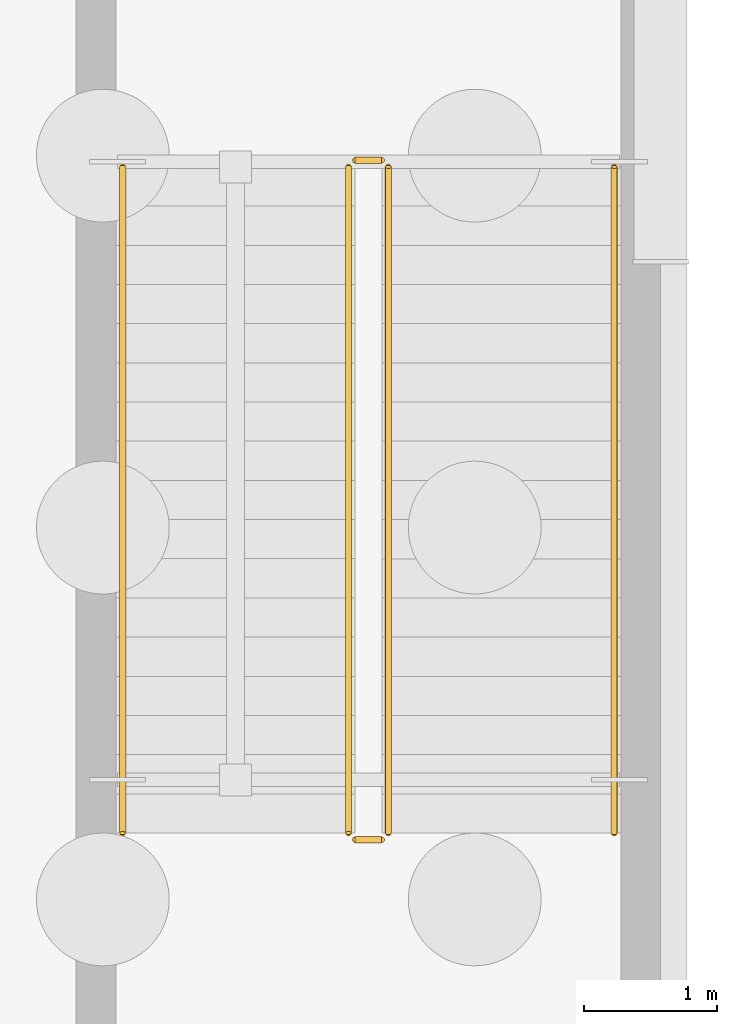
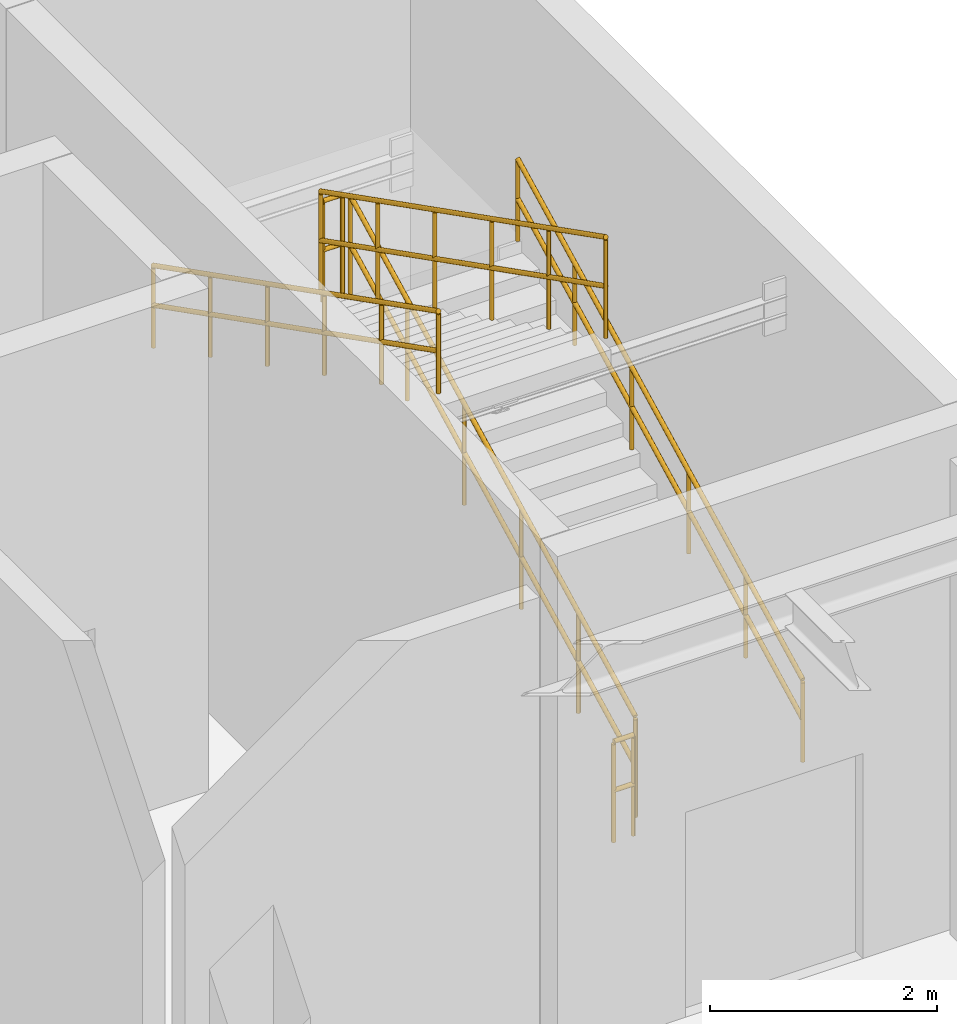
# One storey, part 69 of 71: 6 railings.
"""IFC4 building model written with IfcOpenShell, lengths in metres."""

import ifcopenshell
import ifcopenshell.guid

model = None  # the IFC model being written
_history = None  # IfcOwnerHistory: only IFC2X3 demands one
_inside = {}  # id of a spatial element -> (the spatial element, [elements in it])
_under = {}  # id of a project, library or spatial element -> (it, [spatial elements below it])
_declared = {}  # id of a project -> (the project, [libraries it declares])
_typed = {}  # id of a type object -> (the type object, [elements of that type])
_made_of = {}  # id of a material, layer set ... -> (it, [elements and type objects made of it])


def new_model(schema):
    """Start an empty IFC model of exactly this schema.

    Asked for "IFC4X3", IfcOpenShell would pick the latest addendum, in which some entities
    have other attributes; the version numbers below select the first issue.
    IFC2X3 requires an IfcOwnerHistory on every rooted entity: one is made here for all.
    """
    global model, _history
    if schema == "IFC4X3":
        model = ifcopenshell.file(schema_version=(4, 3, 0, 0))
    else:
        model = ifcopenshell.file(schema=schema)
    _inside.clear()
    _under.clear()
    _declared.clear()
    _typed.clear()
    _made_of.clear()
    _history = None
    if model.schema == "IFC2X3":
        org = make("IfcOrganization", Name="unknown")
        user = make(
            "IfcPersonAndOrganization",
            ThePerson=make("IfcPerson", FamilyName="unknown"),
            TheOrganization=org,
        )
        app = make(
            "IfcApplication",
            ApplicationDeveloper=org,
            Version="unknown",
            ApplicationFullName="unknown",
            ApplicationIdentifier="unknown",
        )
        _history = make(
            "IfcOwnerHistory",
            OwningUser=user,
            OwningApplication=app,
            ChangeAction="ADDED",
            CreationDate=0,
        )
    return model


def make(cls, **values):
    """One entity of the class cls with the attributes given. An attribute that is None is left unset."""
    return model.create_entity(
        cls, **{name: value for name, value in values.items() if value is not None}
    )


def rooted(cls, **values):
    """An entity with a GlobalId (a new one), such as an element, a storey or a relation."""
    return make(cls, GlobalId=ifcopenshell.guid.new(), OwnerHistory=_history, **values)


def si_unit(unit_type, name, prefix=None):
    """IfcSIUnit, for example si_unit("LENGTHUNIT", "METRE", prefix="MILLI")."""
    return make("IfcSIUnit", UnitType=unit_type, Prefix=prefix, Name=name)


def assignment(units):
    """IfcUnitAssignment: the units of a project."""
    return None if units is None else make("IfcUnitAssignment", Units=units)


def point(xyz):
    """IfcCartesianPoint."""
    return None if xyz is None else make("IfcCartesianPoint", Coordinates=xyz)


def direction(xyz):
    """IfcDirection."""
    return None if xyz is None else make("IfcDirection", DirectionRatios=xyz)


def frame(location, z_axis=None, x_axis=None):
    """IfcAxis2Placement3D, a coordinate frame: its origin and axes. An axis left out is left unset."""
    return make(
        "IfcAxis2Placement3D",
        Location=point(location),
        Axis=direction(z_axis),
        RefDirection=direction(x_axis),
    )


def frame_2d(location, x_axis=None):
    """IfcAxis2Placement2D, a coordinate frame in the plane: its origin and x axis."""
    return make(
        "IfcAxis2Placement2D", Location=point(location), RefDirection=direction(x_axis)
    )


def origin():
    """The frame at (0, 0, 0) with its axes left unset."""
    return frame((0.0, 0.0, 0.0))


def origin_2d():
    """The frame at (0, 0) in the plane with its x axis left unset."""
    return frame_2d((0.0, 0.0))


def place(relative_to, where):
    """IfcLocalPlacement: puts the frame where relative to a parent placement (None: the world)."""
    return make(
        "IfcLocalPlacement", PlacementRelTo=relative_to, RelativePlacement=where
    )


def context(
    kind, dimensions, precision=None, world=None, true_north=None, identifier=None
):
    """IfcGeometricRepresentationContext, for example the 3D "Model" context."""
    return make(
        "IfcGeometricRepresentationContext",
        ContextIdentifier=identifier,
        ContextType=kind,
        CoordinateSpaceDimension=dimensions,
        Precision=precision,
        WorldCoordinateSystem=world,
        TrueNorth=true_north,
    )


def subcontext(parent, identifier, kind, view, scale=None):
    """IfcGeometricRepresentationSubContext, for example "Body" below "Model"."""
    return make(
        "IfcGeometricRepresentationSubContext",
        ContextIdentifier=identifier,
        ContextType=kind,
        ParentContext=parent,
        TargetScale=scale,
        TargetView=view,
    )


def project(units=None, contexts=None):
    """IfcProject with its units and contexts."""
    return rooted(
        "IfcProject",
        Name="project",
        RepresentationContexts=contexts,
        UnitsInContext=assignment(units),
    )


def spatial(cls, under=None, at=None, **own):
    """A site, building, storey or space (cls), placed at a placement, below another one or the project."""
    s = rooted(cls, ObjectPlacement=at, **own)
    if under is not None:
        _under.setdefault(under.id(), (under, []))[1].append(s)
    return s


def profile(cls, at=None, kind="AREA", **sizes):
    """A parametric profile (cls). Its sizes go by their IFC names, for example OverallWidth=200.0."""
    return make(cls, ProfileType=kind, Position=at, **sizes)


def circle(**sizes):
    """IfcCircleProfileDef."""
    return profile("IfcCircleProfileDef", **sizes)


def extrude(swept, where, along, depth):
    """IfcExtrudedAreaSolid: the profile swept, set in the frame where, extruded along a direction by depth."""
    return make(
        "IfcExtrudedAreaSolid",
        SweptArea=swept,
        Position=where,
        ExtrudedDirection=direction(along),
        Depth=depth,
    )


def shape(context_of_items, identifier, shape_type, items):
    """IfcShapeRepresentation: the items that make up one representation, for example the "Body"."""
    return make(
        "IfcShapeRepresentation",
        ContextOfItems=context_of_items,
        RepresentationIdentifier=identifier,
        RepresentationType=shape_type,
        Items=items,
    )


def material(Name=None, Category=None):
    """IfcMaterial."""
    return make("IfcMaterial", Name=Name, Category=Category)


def made_of(thing, what):
    """Note that an element or type object is made of a material, layer set ...; save() writes the relation."""
    if what is not None:
        _made_of.setdefault(what.id(), (what, []))[1].append(thing)
    return thing


def type_object(cls, material=None, **own):
    """A type object (cls), such as IfcWallType, which elements share."""
    return made_of(rooted(cls, **own), material)


def element(
    cls,
    number,
    at=None,
    inside=None,
    cuts=None,
    type_object=None,
    material=None,
    context=None,
    identifier="Body",
    shape_type=None,
    held_by="IfcProductDefinitionShape",
    body=None,
    shapes=None,
    **own,
):
    """One element of the class cls, such as IfcWall. Its Tag is "e" and its number.

    at: its placement. inside: the storey or other place that contains it. cuts: it is an
    opening in that element (IfcRelVoidsElement). A single representation is given by context,
    identifier, shape_type and body (its items); several are given by shapes. held_by: the class
    of the entity that holds the representations. save() writes the other relations.
    """
    e = rooted(cls, Tag="e%d" % number, ObjectPlacement=at, **own)
    if body is not None:
        shapes = [shape(context, identifier, shape_type, body)]
    if shapes is not None:
        e.Representation = make(held_by, Representations=shapes)
    if inside is not None:
        _inside.setdefault(inside.id(), (inside, []))[1].append(e)
    if cuts is not None:
        rooted(
            "IfcRelVoidsElement", RelatingBuildingElement=cuts, RelatedOpeningElement=e
        )
    if type_object is not None:
        _typed.setdefault(type_object.id(), (type_object, []))[1].append(e)
    return made_of(e, material)


def aggregate(whole, parts):
    """IfcRelAggregates: a whole, such as a stair, and the parts it consists of."""
    return rooted("IfcRelAggregates", RelatingObject=whole, RelatedObjects=parts)


def save(model, path):
    """Write the relations noted so far, then the file.

    IfcRelAggregates (storeys below a building ...), IfcRelContainedInSpatialStructure (elements
    in a storey), IfcRelDefinesByType, IfcRelAssociatesMaterial and IfcRelDeclares: one each for
    every whole, place, type object, material and project.
    """
    for whole, parts in _under.values():
        aggregate(whole, parts)
    for where, things in _inside.values():
        rooted(
            "IfcRelContainedInSpatialStructure",
            RelatedElements=things,
            RelatingStructure=where,
        )
    for kind, things in _typed.values():
        rooted("IfcRelDefinesByType", RelatedObjects=things, RelatingType=kind)
    for what, things in _made_of.values():
        rooted("IfcRelAssociatesMaterial", RelatedObjects=things, RelatingMaterial=what)
    for by, libraries in _declared.values():
        rooted("IfcRelDeclares", RelatingContext=by, RelatedDefinitions=libraries)
    model.write(path)


model = new_model("IFC4")

# Units and contexts
model_context = context("Model", 3, precision=1e-05, world=origin(), true_north=direction((0.0, 1.0)))
body_context = subcontext(model_context, "Body", "Model", "MODEL_VIEW")
ifc_project = project(units=[si_unit("LENGTHUNIT", "METRE"), si_unit("AREAUNIT", "SQUARE_METRE"), si_unit("VOLUMEUNIT", "CUBIC_METRE"), si_unit("PLANEANGLEUNIT", "RADIAN"), si_unit("MASSUNIT", "GRAM", prefix="KILO")], contexts=[model_context])

# Site, building, storey
site_placement = place(None, origin())
site = spatial("IfcSite", under=ifc_project, at=site_placement, CompositionType="ELEMENT")
building_placement = place(site_placement, origin())
building = spatial("IfcBuilding", under=site, at=building_placement, Name="Sundkrona Museum", CompositionType="ELEMENT")
storey_placement = place(building_placement, frame((0.0, 0.0, -5.39990234375)))
storey = spatial("IfcBuildingStorey", under=building, at=storey_placement, Name="B1", CompositionType="ELEMENT", Elevation=-5.39990234375)

# Railings
ifc_material_1 = material(Name="Painted Steel S355J2 and Laminated Glass Balustrade", Category="steel")
railing_type_1 = type_object("IfcRailingType", Name="RL-GUARD-1100", PredefinedType="BALUSTRADE", material=ifc_material_1)
railing_1_placement = place(storey_placement, frame((165.949951171875, 35.699951171875, 0.14990234375)))
element("IfcRailing", 1, at=railing_1_placement, inside=storey, type_object=railing_type_1, Name="B1 ST-1 stair guard 1", PredefinedType="BALUSTRADE", context=body_context, shape_type="SweptSolid", body=[
    extrude(circle(Radius=0.02392578125, at=origin_2d()), frame((0.0, 0.0, 1.076171875), z_axis=(0.0, 0.891386615937, 0.453243754428), x_axis=(-1.0, 0.0, 0.0)), (0.0, 0.0, 1.0), 5.626220703125),
    extrude(circle(Radius=0.02392578125, at=origin_2d()), frame((0.0, 0.0, 0.550048828125), z_axis=(0.0, 0.891386615937, 0.453243754428), x_axis=(-1.0, 0.0, 0.0)), (0.0, 0.0, 1.0), 5.626220703125),
    extrude(circle(Radius=0.02099609375, at=origin_2d()), origin(), (0.0, 0.0, 1.0), 1.052001953125),
    extrude(circle(Radius=0.02099609375, at=origin_2d()), frame((0.0, 1.0029296875, 0.510009765625)), (0.0, 0.0, 1.0), 1.052001953125),
    extrude(circle(Radius=0.02099609375, at=origin_2d()), frame((0.0, 2.006103515625, 1.02001953125)), (0.0, 0.0, 1.0), 1.052001953125),
    extrude(circle(Radius=0.02099609375, at=origin_2d()), frame((0.0, 3.009033203125, 1.530029296875)), (0.0, 0.0, 1.0), 1.052001953125),
    extrude(circle(Radius=0.02099609375, at=origin_2d()), frame((0.0, 4.01220703125, 2.0400390625)), (0.0, 0.0, 1.0), 1.052001953125),
    extrude(circle(Radius=0.02099609375, at=origin_2d()), frame((0.0, 5.01513671875, 2.550048828125)), (0.0, 0.0, 1.0), 1.052001953125),
])
railing_2_placement = place(storey_placement, frame((165.89990234375, 40.764892578125, 2.699951171875)))
element("IfcRailing", 2, at=railing_2_placement, inside=storey, type_object=railing_type_1, Name="B1 ST-1 stair guard 2", PredefinedType="BALUSTRADE", context=body_context, shape_type="SweptSolid", body=[
    extrude(circle(Radius=0.02392578125, at=origin_2d()), frame((0.0, 0.0, 1.076171875), z_axis=(-1.0, 0.0, 0.0), x_axis=(0.0, -1.0, 0.0)), (0.0, 0.0, 1.0), 0.199951171875),
    extrude(circle(Radius=0.02392578125, at=origin_2d()), frame((0.0, 0.0, 0.550048828125), z_axis=(-1.0, 0.0, 0.0), x_axis=(0.0, -1.0, 0.0)), (0.0, 0.0, 1.0), 0.199951171875),
    extrude(circle(Radius=0.02099609375, at=origin_2d()), origin(), (0.0, 0.0, 1.0), 1.052001953125),
    extrude(circle(Radius=0.02099609375, at=origin_2d()), frame((-0.199951171875, 0.0, 0.0)), (0.0, 0.0, 1.0), 1.052001953125),
])
railing_3_placement = place(storey_placement, frame((165.64990234375, 40.715087890625, 2.849853515625)))
element("IfcRailing", 3, at=railing_3_placement, inside=storey, type_object=railing_type_1, Name="B1 ST-1 stair guard 3", PredefinedType="BALUSTRADE", context=body_context, shape_type="SweptSolid", body=[
    extrude(circle(Radius=0.02392578125, at=origin_2d()), frame((0.0, 0.0, 1.076171875), z_axis=(0.0, -0.891386615937, 0.453243754428), x_axis=(1.0, 0.0, 0.0)), (0.0, 0.0, 1.0), 5.626220703125),
    extrude(circle(Radius=0.02392578125, at=origin_2d()), frame((0.0, 0.0, 0.550048828125), z_axis=(0.0, -0.891386615937, 0.453243754428), x_axis=(1.0, 0.0, 0.0)), (0.0, 0.0, 1.0), 5.626220703125),
    extrude(circle(Radius=0.02099609375, at=origin_2d()), origin(), (0.0, 0.0, 1.0), 1.052001953125),
    extrude(circle(Radius=0.02099609375, at=origin_2d()), frame((0.0, -1.0029296875, 0.510009765625)), (0.0, 0.0, 1.0), 1.052001953125),
    extrude(circle(Radius=0.02099609375, at=origin_2d()), frame((0.0, -2.006103515625, 1.02001953125)), (0.0, 0.0, 1.0), 1.052001953125),
    extrude(circle(Radius=0.02099609375, at=origin_2d()), frame((0.0, -3.009033203125, 1.530029296875)), (0.0, 0.0, 1.0), 1.052001953125),
    extrude(circle(Radius=0.02099609375, at=origin_2d()), frame((0.0, -4.01220703125, 2.0400390625)), (0.0, 0.0, 1.0), 1.052001953125),
    extrude(circle(Radius=0.02099609375, at=origin_2d()), frame((0.0, -5.01513671875, 2.550048828125)), (0.0, 0.0, 1.0), 1.052001953125),
])
railing_4_placement = place(storey_placement, frame((165.89990234375, 35.64990234375, 0.0)))
element("IfcRailing", 4, at=railing_4_placement, inside=storey, type_object=railing_type_1, Name="B1 ST-1 stair guard 4", PredefinedType="BALUSTRADE", context=body_context, shape_type="SweptSolid", body=[
    extrude(circle(Radius=0.02392578125, at=origin_2d()), frame((0.0, 0.0, 1.076171875), z_axis=(-1.0, 0.0, 0.0), x_axis=(0.0, -1.0, 0.0)), (0.0, 0.0, 1.0), 0.199951171875),
    extrude(circle(Radius=0.02392578125, at=origin_2d()), frame((0.0, 0.0, 0.550048828125), z_axis=(-1.0, 0.0, 0.0), x_axis=(0.0, -1.0, 0.0)), (0.0, 0.0, 1.0), 0.199951171875),
    extrude(circle(Radius=0.02099609375, at=origin_2d()), origin(), (0.0, 0.0, 1.0), 1.052001953125),
    extrude(circle(Radius=0.02099609375, at=origin_2d()), frame((-0.199951171875, 0.0, 0.0)), (0.0, 0.0, 1.0), 1.052001953125),
])
ifc_material_2 = material(Name="Brushed Bronze-Clad Steel Handrail", Category="steel")
railing_type_2 = type_object("IfcRailingType", Name="RL-HAND-900", PredefinedType="HANDRAIL", material=ifc_material_2)
railing_5_placement = place(storey_placement, frame((167.64990234375, 35.699951171875, 0.14990234375)))
element("IfcRailing", 5, at=railing_5_placement, inside=storey, type_object=railing_type_2, Name="B1 ST-1 stair handrail 1", PredefinedType="HANDRAIL", context=body_context, shape_type="SweptSolid", body=[
    extrude(circle(Radius=0.02392578125, at=origin_2d()), frame((0.0, 0.0, 0.8759765625), z_axis=(0.0, 0.891386615937, 0.453243754428), x_axis=(-1.0, 0.0, 0.0)), (0.0, 0.0, 1.0), 5.626220703125),
    extrude(circle(Radius=0.02392578125, at=origin_2d()), frame((0.0, 0.0, 0.449951171875), z_axis=(0.0, 0.891386615937, 0.453243754428), x_axis=(-1.0, 0.0, 0.0)), (0.0, 0.0, 1.0), 5.626220703125),
    extrude(circle(Radius=0.02099609375, at=origin_2d()), origin(), (0.0, 0.0, 1.0), 0.851806640625),
    extrude(circle(Radius=0.02099609375, at=origin_2d()), frame((0.0, 1.0029296875, 0.510009765625)), (0.0, 0.0, 1.0), 0.851806640625),
    extrude(circle(Radius=0.02099609375, at=origin_2d()), frame((0.0, 2.006103515625, 1.02001953125)), (0.0, 0.0, 1.0), 0.851806640625),
    extrude(circle(Radius=0.02099609375, at=origin_2d()), frame((0.0, 3.009033203125, 1.530029296875)), (0.0, 0.0, 1.0), 0.851806640625),
    extrude(circle(Radius=0.02099609375, at=origin_2d()), frame((0.0, 4.01220703125, 2.0400390625)), (0.0, 0.0, 1.0), 0.851806640625),
    extrude(circle(Radius=0.02099609375, at=origin_2d()), frame((0.0, 5.01513671875, 2.550048828125)), (0.0, 0.0, 1.0), 0.851806640625),
])
railing_6_placement = place(storey_placement, frame((163.949951171875, 40.715087890625, 2.849853515625)))
element("IfcRailing", 6, at=railing_6_placement, inside=storey, type_object=railing_type_2, Name="B1 ST-1 stair handrail 2", PredefinedType="HANDRAIL", context=body_context, shape_type="SweptSolid", body=[
    extrude(circle(Radius=0.02392578125, at=origin_2d()), frame((0.0, 0.0, 0.8759765625), z_axis=(0.0, -0.891386615937, 0.453243754428), x_axis=(1.0, 0.0, 0.0)), (0.0, 0.0, 1.0), 5.626220703125),
    extrude(circle(Radius=0.02392578125, at=origin_2d()), frame((0.0, 0.0, 0.449951171875), z_axis=(0.0, -0.891386615937, 0.453243754428), x_axis=(1.0, 0.0, 0.0)), (0.0, 0.0, 1.0), 5.626220703125),
    extrude(circle(Radius=0.02099609375, at=origin_2d()), origin(), (0.0, 0.0, 1.0), 0.851806640625),
    extrude(circle(Radius=0.02099609375, at=origin_2d()), frame((0.0, -1.0029296875, 0.510009765625)), (0.0, 0.0, 1.0), 0.851806640625),
    extrude(circle(Radius=0.02099609375, at=origin_2d()), frame((0.0, -2.006103515625, 1.02001953125)), (0.0, 0.0, 1.0), 0.851806640625),
    extrude(circle(Radius=0.02099609375, at=origin_2d()), frame((0.0, -3.009033203125, 1.530029296875)), (0.0, 0.0, 1.0), 0.851806640625),
    extrude(circle(Radius=0.02099609375, at=origin_2d()), frame((0.0, -4.01220703125, 2.0400390625)), (0.0, 0.0, 1.0), 0.851806640625),
    extrude(circle(Radius=0.02099609375, at=origin_2d()), frame((0.0, -5.01513671875, 2.550048828125)), (0.0, 0.0, 1.0), 0.851806640625),
])

save(model, "model.ifc")
